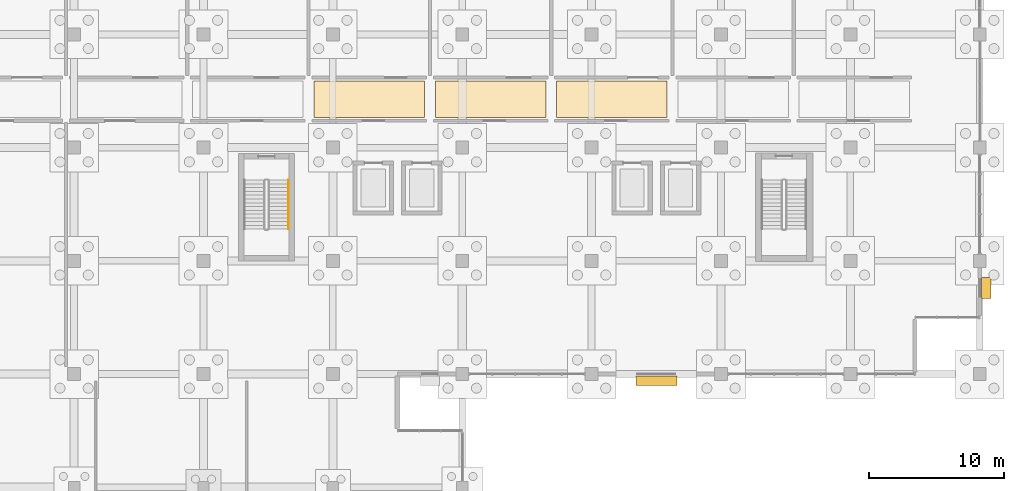
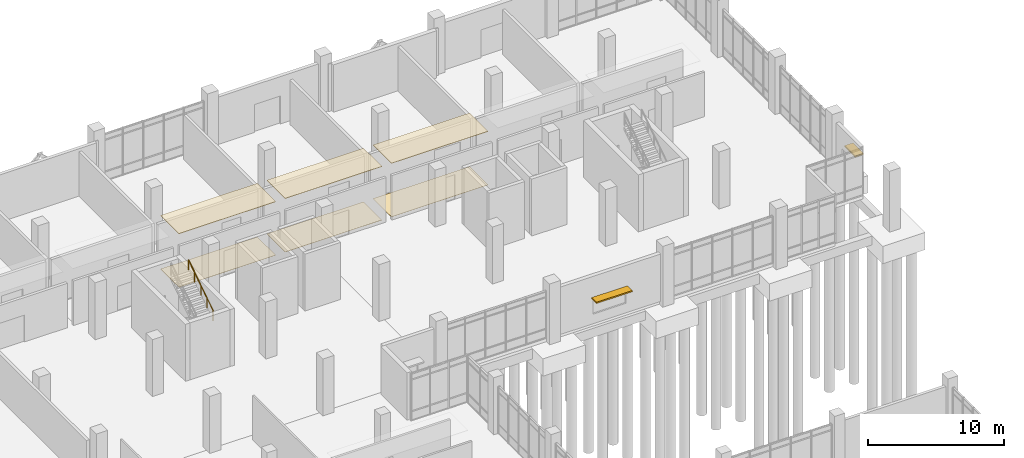
# One storey, part 133 of 136: 6 coverings, 2 shading devices, 1 railing.
"""IFC4 building model written with IfcOpenShell, lengths in metres."""

from ifc_helpers import new_model, si_unit, direction, frame, origin, origin_2d, place, context, subcontext, project, spatial, polyline, rectangle, circle, outline, extrude, material, layer, layer_set, type_object, element, save


model = new_model("IFC4")

# Units and contexts
model_context = context("Model", 3, precision=1e-05, world=origin(), true_north=direction((0.0, 1.0)))
body_context = subcontext(model_context, "Body", "Model", "MODEL_VIEW")
ifc_project = project(units=[si_unit("LENGTHUNIT", "METRE"), si_unit("AREAUNIT", "SQUARE_METRE"), si_unit("VOLUMEUNIT", "CUBIC_METRE"), si_unit("PLANEANGLEUNIT", "RADIAN"), si_unit("MASSUNIT", "GRAM", prefix="KILO")], contexts=[model_context])

# Site, building, storey
site_placement = place(None, origin())
site = spatial("IfcSite", under=ifc_project, at=site_placement, CompositionType="ELEMENT")
building_placement = place(site_placement, origin())
building = spatial("IfcBuilding", under=site, at=building_placement, Name="Oolite Switchyard Hospital", CompositionType="ELEMENT")
storey_placement = place(building_placement, origin())
storey = spatial("IfcBuildingStorey", under=building, at=storey_placement, Name="L00", CompositionType="ELEMENT", Elevation=0.0)

# Coverings
ifc_material_1 = material(Name="Hygienic washable mineral-fibre acoustic ceiling")
ifc_layer_1 = layer(ifc_material_1, 0.0400390625)
ifc_layer_set_1 = layer_set([ifc_layer_1], Name="COV-CEIL-AC60")
covering_type_1 = type_object("IfcCoveringType", Name="COV-CEIL-AC60", PredefinedType="CEILING", material=ifc_layer_set_1)
covering_1_placement = place(storey_placement, frame((0.0, 0.0, 4.784912109375)))
element("IfcCovering", 1, at=covering_1_placement, inside=storey, type_object=covering_type_1, Name="L00 East Ground Service and Exit Corridor L00 Ceiling 4", PredefinedType="CEILING", context=body_context, shape_type="SweptSolid", body=[
    extrude(outline(polyline([(161.800048828125, 119.85009765625), (170.0, 119.85009765625), (170.0, 122.550048828125), (161.800048828125, 122.550048828125), (161.800048828125, 119.85009765625)])), origin(), (0.0, 0.0, 1.0), 0.0400390625),
])
covering_2_placement = place(storey_placement, frame((0.0, 0.0, 4.784912109375)))
element("IfcCovering", 2, at=covering_2_placement, inside=storey, type_object=covering_type_1, Name="L00 East Ground Service and Exit Corridor L00 Ceiling 5", PredefinedType="CEILING", context=body_context, shape_type="SweptSolid", body=[
    extrude(outline(polyline([(170.800048828125, 119.85009765625), (179.0, 119.85009765625), (179.0, 122.550048828125), (170.800048828125, 122.550048828125), (170.800048828125, 119.85009765625)])), origin(), (0.0, 0.0, 1.0), 0.0400390625),
])
covering_3_placement = place(storey_placement, frame((0.0, 0.0, 4.784912109375)))
element("IfcCovering", 3, at=covering_3_placement, inside=storey, type_object=covering_type_1, Name="L00 East Ground Service and Exit Corridor L00 Ceiling 6", PredefinedType="CEILING", context=body_context, shape_type="SweptSolid", body=[
    extrude(outline(polyline([(179.800048828125, 119.85009765625), (188.0, 119.85009765625), (188.0, 122.550048828125), (179.800048828125, 122.550048828125), (179.800048828125, 119.85009765625)])), origin(), (0.0, 0.0, 1.0), 0.0400390625),
])
ifc_material_2 = material(Name="Epoxy terrazzo seamless clinical flooring")
ifc_layer_2 = layer(ifc_material_2, 0.02001953125)
ifc_layer_set_2 = layer_set([ifc_layer_2], Name="COV-FLR-TER20")
covering_type_2 = type_object("IfcCoveringType", Name="COV-FLR-TER20", PredefinedType="FLOORING", material=ifc_layer_set_2)
covering_4_placement = place(storey_placement, origin())
element("IfcCovering", 4, at=covering_4_placement, inside=storey, type_object=covering_type_2, Name="L00 East Ground Service and Exit Corridor L00 Flooring 4", PredefinedType="FLOORING", context=body_context, shape_type="SweptSolid", body=[
    extrude(outline(polyline([(161.800048828125, 119.85009765625), (170.0, 119.85009765625), (170.0, 122.550048828125), (161.800048828125, 122.550048828125), (161.800048828125, 119.85009765625)])), origin(), (0.0, 0.0, 1.0), 0.02001953125),
])
covering_5_placement = place(storey_placement, origin())
element("IfcCovering", 5, at=covering_5_placement, inside=storey, type_object=covering_type_2, Name="L00 East Ground Service and Exit Corridor L00 Flooring 5", PredefinedType="FLOORING", context=body_context, shape_type="SweptSolid", body=[
    extrude(outline(polyline([(170.800048828125, 119.85009765625), (179.0, 119.85009765625), (179.0, 122.550048828125), (170.800048828125, 122.550048828125), (170.800048828125, 119.85009765625)])), origin(), (0.0, 0.0, 1.0), 0.02001953125),
])
covering_6_placement = place(storey_placement, origin())
element("IfcCovering", 6, at=covering_6_placement, inside=storey, type_object=covering_type_2, Name="L00 East Ground Service and Exit Corridor L00 Flooring 6", PredefinedType="FLOORING", context=body_context, shape_type="SweptSolid", body=[
    extrude(outline(polyline([(179.800048828125, 119.85009765625), (188.0, 119.85009765625), (188.0, 122.550048828125), (179.800048828125, 122.550048828125), (179.800048828125, 119.85009765625)])), origin(), (0.0, 0.0, 1.0), 0.02001953125),
])

# Railing
ifc_material_3 = material(Name="Galvanized painted architectural steel handrail", Category="steel")
railing_type = type_object("IfcRailingType", Name="RL-STAIR-HND", PredefinedType="HANDRAIL", material=ifc_material_3)
railing_placement = place(storey_placement, frame((159.909912109375, 111.550048828125, 2.732177734375)))
element("IfcRailing", 7, at=railing_placement, inside=storey, type_object=railing_type, Name="L00 ST-03 stair handrail 2", PredefinedType="HANDRAIL", context=body_context, shape_type="SweptSolid", body=[
    extrude(circle(Radius=0.02392578125, at=origin_2d()), frame((0.0, 0.0, 0.8759765625), z_axis=(0.0, 0.838234174257, 0.545310433706), x_axis=(-1.0, 0.0, 0.0)), (0.0, 0.0, 1.0), 4.34228515625),
    extrude(circle(Radius=0.02099609375, at=origin_2d()), origin(), (0.0, 0.0, 1.0), 0.851806640625),
    extrude(circle(Radius=0.02099609375, at=origin_2d()), frame((0.0, 0.909912109375, 0.592041015625)), (0.0, 0.0, 1.0), 0.851806640625),
    extrude(circle(Radius=0.02099609375, at=origin_2d()), frame((0.0, 1.81982421875, 1.18408203125)), (0.0, 0.0, 1.0), 0.851806640625),
    extrude(circle(Radius=0.02099609375, at=origin_2d()), frame((0.0, 2.72998046875, 1.77587890625)), (0.0, 0.0, 1.0), 0.851806640625),
    extrude(circle(Radius=0.02099609375, at=origin_2d()), frame((0.0, 3.639892578125, 2.367919921875)), (0.0, 0.0, 1.0), 0.851806640625),
])

# Shading devices
ifc_material_4 = material(Name="Precast oolitic limestone architectural concrete C40/50", Category="masonry")
ifc_layer_3 = layer(ifc_material_4, 0.1201171875)
ifc_layer_set_3 = layer_set([ifc_layer_3], Name="SHD-BRISE-900")
shading_device_type = type_object("IfcShadingDeviceType", Name="SHD-BRISE-900", PredefinedType="AWNING", material=ifc_layer_set_3)
shading_device_1_placement = place(storey_placement, frame((187.199951171875, 100.2900390625, 2.260009765625), z_axis=(0.0, 0.0, 1.0), x_axis=(1.0, 0.0, 0.0)))
element("IfcShadingDevice", 8, at=shading_device_1_placement, inside=storey, type_object=shading_device_type, Name="L00 Classical Brise-Soleil Sunshade 5", PredefinedType="AWNING", context=body_context, shape_type="SweptSolid", body=[
    extrude(rectangle(XDim=3.0400390625, YDim=0.699951171875, at=origin_2d()), origin(), (0.0, 0.0, 1.0), 0.1201171875),
])
shading_device_2_placement = place(storey_placement, frame((211.68994140625, 107.179931640625, 2.4599609375), z_axis=(0.0, 0.0, 1.0), x_axis=(0.0, 1.0, 0.0)))
element("IfcShadingDevice", 9, at=shading_device_2_placement, inside=storey, type_object=shading_device_type, Name="L00 Classical Brise-Soleil Sunshade 13", PredefinedType="AWNING", context=body_context, shape_type="SweptSolid", body=[
    extrude(rectangle(XDim=1.5400390625, YDim=0.699951171875, at=origin_2d()), origin(), (0.0, 0.0, 1.0), 0.1201171875),
])

save(model, "model.ifc")
